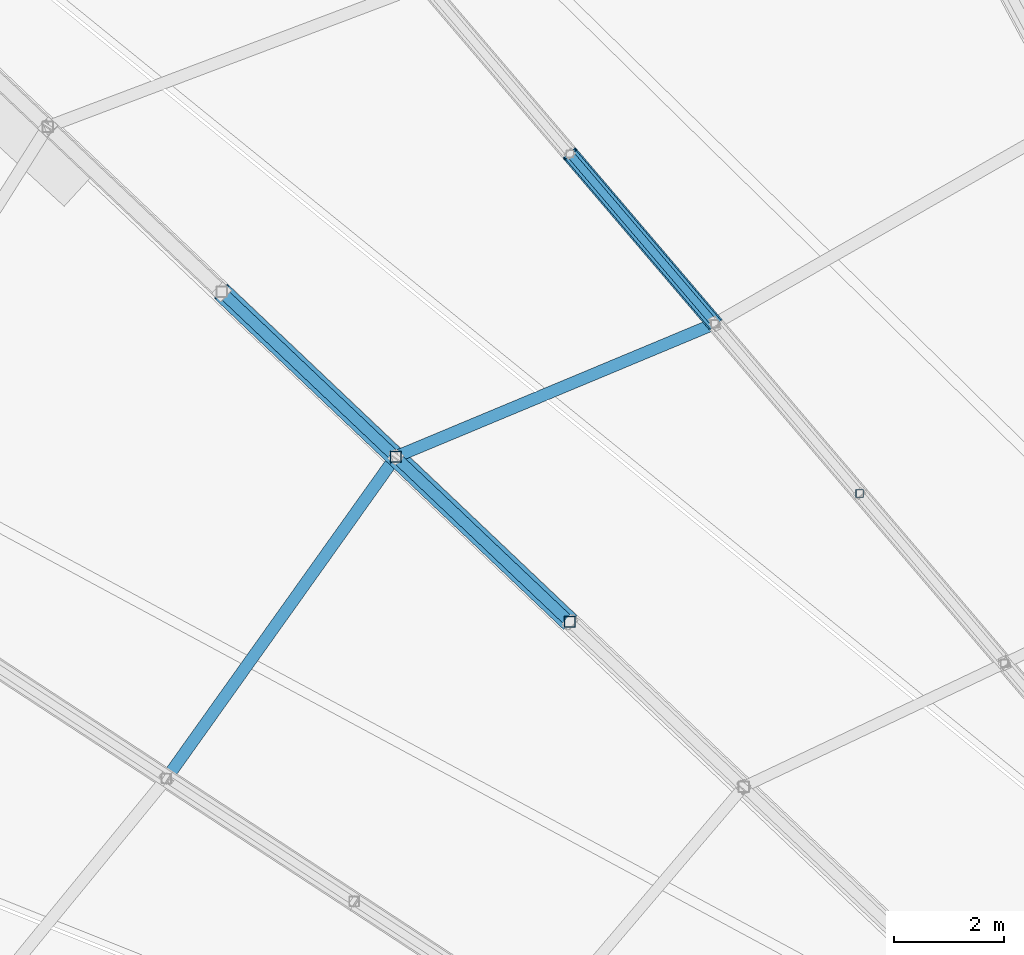
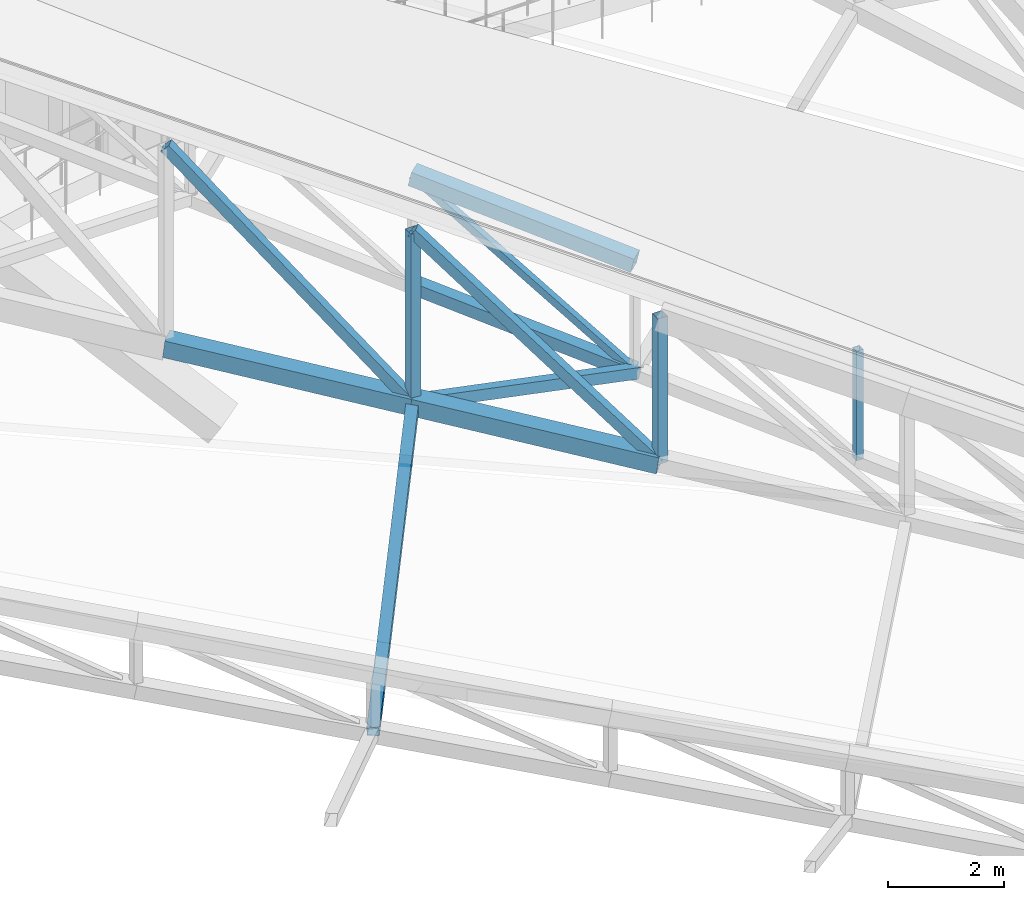
# One storey, part 138 of 344: 12 members.
"""IFC4 building model written with IfcOpenShell, lengths in metres."""

from ifc_helpers import new_model, si_unit, direction, frame, origin, origin_2d, place, context, subcontext, project, spatial, hollow_rectangle, extrude, material, material_profile, profile_set, type_object, element, save


model = new_model("IFC4")

# Units and contexts
model_context = context("Model", 3, precision=1e-05, world=origin(), true_north=direction((0.0, 1.0)))
body_context = subcontext(model_context, "Body", "Model", "MODEL_VIEW")
ifc_project = project(units=[si_unit("LENGTHUNIT", "METRE"), si_unit("AREAUNIT", "SQUARE_METRE"), si_unit("VOLUMEUNIT", "CUBIC_METRE"), si_unit("PLANEANGLEUNIT", "RADIAN"), si_unit("MASSUNIT", "GRAM", prefix="KILO")], contexts=[model_context])

# Site, building, storey
site_placement = place(None, origin())
site = spatial("IfcSite", under=ifc_project, at=site_placement, CompositionType="ELEMENT")
building_placement = place(site_placement, origin())
building = spatial("IfcBuilding", under=site, at=building_placement, Name="Meseta Stadium", CompositionType="ELEMENT")
storey_placement = place(building_placement, frame((0.0, 0.0, 24.0)))
storey = spatial("IfcBuildingStorey", under=building, at=storey_placement, Name="L04", CompositionType="ELEMENT", Elevation=24.0)

# Members
ifc_material_1 = material(Name="Steel S355", Category="steel")
ifc_material_profile_1 = material_profile(ifc_material_1, hollow_rectangle(XDim=0.139892578125, YDim=0.139892578125, WallThickness=0.0048828125, at=origin_2d()), Name="SHS 140x140x5")
ifc_profile_set_1 = profile_set([ifc_material_profile_1], Name="Steel S355")
member_type_1 = type_object("IfcMemberType", Name="SHS 140x140x5 diagonal", PredefinedType="BRACE", material=ifc_profile_set_1)
member_1_placement = place(storey_placement, frame((-45.260986328125, 76.1845703125, 1.756103515625), z_axis=(-0.511304997159, 0.599578670563, 0.615688734416), x_axis=(-0.760896819388, -0.64887289221, 0.0)))
element("IfcMember", 1, at=member_1_placement, inside=storey, type_object=member_type_1, Name="ROOF TRUSS RT-23 diagonal", PredefinedType="BRACE", context=body_context, shape_type="SweptSolid", body=[
    extrude(hollow_rectangle(XDim=0.139892578125, YDim=0.139892578125, WallThickness=0.0048828125, at=origin_2d()), origin(), (0.0, 0.0, 1.0), 5.152587890625),
])
ifc_material_2 = material(Name="Steel S355", Category="steel")
ifc_material_profile_2 = material_profile(ifc_material_2, hollow_rectangle(XDim=0.139892578125, YDim=0.139892578125, WallThickness=0.0048828125, at=origin_2d()), Name="SHS 140x140x5")
ifc_profile_set_2 = profile_set([ifc_material_profile_2], Name="Steel S355")
member_type_2 = type_object("IfcMemberType", Name="SHS 140x140x5 post", PredefinedType="POST", material=ifc_profile_set_2)
member_2_placement = place(storey_placement, frame((-42.626220703125, 73.09521484375, 0.8837890625), z_axis=(0.0, 0.0, 1.0), x_axis=(1.0, 0.0, 0.0)))
element("IfcMember", 2, at=member_2_placement, inside=storey, type_object=member_type_2, Name="ROOF TRUSS RT-23 post", PredefinedType="POST", context=body_context, shape_type="SweptSolid", body=[
    extrude(hollow_rectangle(XDim=0.139892578125, YDim=0.139892578125, WallThickness=0.0048828125, at=origin_2d()), origin(), (0.0, 0.0, 1.0), 2.300048828125),
])
ifc_material_3 = material(Name="Steel S355", Category="steel")
ifc_material_profile_3 = material_profile(ifc_material_3, hollow_rectangle(XDim=0.199951171875, YDim=0.199951171875, WallThickness=0.008056640625, at=origin_2d()), Name="SHS 200x200x8")
ifc_profile_set_3 = profile_set([ifc_material_profile_3], Name="Steel S355")
member_type_3 = type_object("IfcMemberType", Name="SHS 200x200x8 diagonal", PredefinedType="BRACE", material=ifc_profile_set_3)
member_3_placement = place(storey_placement, frame((-47.903076171875, 70.75927734375, 4.095703125), z_axis=(-0.527476888282, 0.500260935925, 0.686663766567), x_axis=(-0.688140350493, -0.725577603033, 0.0)))
element("IfcMember", 3, at=member_3_placement, inside=storey, type_object=member_type_3, Name="ROOF TRUSS RT-24 diagonal", PredefinedType="BRACE", context=body_context, shape_type="SweptSolid", body=[
    extrude(hollow_rectangle(XDim=0.199951171875, YDim=0.199951171875, WallThickness=0.008056640625, at=origin_2d()), origin(), (0.0, 0.0, 1.0), 6.001220703125),
])
member_4_placement = place(storey_placement, frame((-51.068603515625, 73.761474609375, 4.60791015625), z_axis=(-0.495168346135, 0.469621371232, 0.730933701965), x_axis=(-0.688141870449, -0.725576161499, 0.0)))
element("IfcMember", 4, at=member_4_placement, inside=storey, type_object=member_type_3, Name="ROOF TRUSS RT-24 diagonal", PredefinedType="BRACE", context=body_context, shape_type="SweptSolid", body=[
    extrude(hollow_rectangle(XDim=0.199951171875, YDim=0.199951171875, WallThickness=0.008056640625, at=origin_2d()), origin(), (0.0, 0.0, 1.0), 6.393310546875),
])
ifc_material_4 = material(Name="Steel S355", Category="steel")
ifc_material_profile_4 = material_profile(ifc_material_4, hollow_rectangle(XDim=0.199951171875, YDim=0.199951171875, WallThickness=0.008056640625, at=origin_2d()), Name="SHS 200x200x8")
ifc_profile_set_4 = profile_set([ifc_material_profile_4], Name="Steel S355")
member_type_4 = type_object("IfcMemberType", Name="SHS 200x200x8 post", PredefinedType="POST", material=ifc_profile_set_4)
member_5_placement = place(storey_placement, frame((-47.903076171875, 70.75927734375, 4.095703125), z_axis=(0.0, 0.0, 1.0), x_axis=(1.0, 0.0, 0.0)))
element("IfcMember", 5, at=member_5_placement, inside=storey, type_object=member_type_4, Name="ROOF TRUSS RT-24 post", PredefinedType="POST", context=body_context, shape_type="SweptSolid", body=[
    extrude(hollow_rectangle(XDim=0.199951171875, YDim=0.199951171875, WallThickness=0.008056640625, at=origin_2d()), origin(), (0.0, 0.0, 1.0), 3.056396484375),
])
member_6_placement = place(storey_placement, frame((-51.068603515625, 73.761474609375, 4.60791015625), z_axis=(0.0, 0.0, 1.0), x_axis=(1.0, 0.0, 0.0)))
element("IfcMember", 6, at=member_6_placement, inside=storey, type_object=member_type_4, Name="ROOF TRUSS RT-24 post", PredefinedType="POST", context=body_context, shape_type="SweptSolid", body=[
    extrude(hollow_rectangle(XDim=0.199951171875, YDim=0.199951171875, WallThickness=0.008056640625, at=origin_2d()), origin(), (0.0, 0.0, 1.0), 3.608642578125),
])
ifc_material_5 = material(Name="Steel S355", Category="steel")
ifc_material_profile_5 = material_profile(ifc_material_5, hollow_rectangle(XDim=0.219970703125, YDim=0.219970703125, WallThickness=0.008056640625, at=origin_2d()), Name="SHS 220x220x8")
ifc_profile_set_5 = profile_set([ifc_material_profile_5], Name="Steel S355")
member_type_5 = type_object("IfcMemberType", Name="SHS 220x220x8 strut", PredefinedType="STRUT", material=ifc_profile_set_5)
member_7_placement = place(storey_placement, frame((-45.260986328125, 76.1845703125, 1.756103515625), z_axis=(-0.840601934105, -0.350721968891, 0.412774137896), x_axis=(0.385056106705, -0.922893165371, 0.0)))
element("IfcMember", 7, at=member_7_placement, inside=storey, type_object=member_type_5, Name="ROOF TRUSS STRUT RT-23/24", PredefinedType="STRUT", context=body_context, shape_type="SweptSolid", body=[
    extrude(hollow_rectangle(XDim=0.219970703125, YDim=0.219970703125, WallThickness=0.008056640625, at=origin_2d()), origin(), (0.0, 0.0, 1.0), 6.908935546875),
])
member_8_placement = place(storey_placement, frame((-51.068603515625, 73.761474609375, 4.60791015625), z_axis=(-0.560938297236, -0.787297378244, -0.255951294008), x_axis=(0.814426175753, -0.580267183501, 0.0)))
element("IfcMember", 8, at=member_8_placement, inside=storey, type_object=member_type_5, Name="ROOF TRUSS STRUT RT-24/25", PredefinedType="STRUT", context=body_context, shape_type="SweptSolid", body=[
    extrude(hollow_rectangle(XDim=0.219970703125, YDim=0.219970703125, WallThickness=0.008056640625, at=origin_2d()), origin(), (0.0, 0.0, 1.0), 7.433349609375),
])
ifc_material_6 = material(Name="Steel S355", Category="steel")
ifc_material_profile_6 = material_profile(ifc_material_6, hollow_rectangle(XDim=0.25, YDim=0.25, WallThickness=0.010009765625, at=origin_2d()), Name="SHS 250x250x10")
ifc_profile_set_6 = profile_set([ifc_material_profile_6], Name="Steel S355")
member_type_6 = type_object("IfcMemberType", Name="SHS 250x250x10 bottom chord", PredefinedType="CHORD", material=ifc_profile_set_6)
member_9_placement = place(storey_placement, frame((-45.260986328125, 76.1845703125, 1.756103515625), z_axis=(-0.634396329544, 0.743920966922, 0.210054497772), x_axis=(-0.760896819388, -0.64887289221, 0.0)))
element("IfcMember", 9, at=member_9_placement, inside=storey, type_object=member_type_6, Name="ROOF TRUSS RT-23 bottom chord", PredefinedType="CHORD", context=body_context, shape_type="SweptSolid", body=[
    extrude(hollow_rectangle(XDim=0.25, YDim=0.25, WallThickness=0.010009765625, at=origin_2d()), origin(), (0.0, 0.0, 1.0), 4.15283203125),
])
ifc_material_7 = material(Name="Steel S355", Category="steel")
ifc_material_profile_7 = material_profile(ifc_material_7, hollow_rectangle(XDim=0.300048828125, YDim=0.300048828125, WallThickness=0.010009765625, at=origin_2d()), Name="SHS 300x300x10")
ifc_profile_set_7 = profile_set([ifc_material_profile_7], Name="Steel S355")
member_type_7 = type_object("IfcMemberType", Name="SHS 300x300x10 top chord", PredefinedType="CHORD", material=ifc_profile_set_7)
member_10_placement = place(storey_placement, frame((-45.260986328125, 76.1845703125, 4.05615234375), z_axis=(-0.634396329544, 0.743920966922, 0.210054497772), x_axis=(-0.760896819388, -0.64887289221, 0.0)))
element("IfcMember", 10, at=member_10_placement, inside=storey, type_object=member_type_7, Name="ROOF TRUSS RT-23 top chord", PredefinedType="CHORD", context=body_context, shape_type="SweptSolid", body=[
    extrude(hollow_rectangle(XDim=0.300048828125, YDim=0.300048828125, WallThickness=0.010009765625, at=origin_2d()), origin(), (0.0, 0.0, 1.0), 4.15283203125),
])
ifc_material_8 = material(Name="Steel S355", Category="steel")
ifc_material_profile_8 = material_profile(ifc_material_8, hollow_rectangle(XDim=0.35009765625, YDim=0.35009765625, WallThickness=0.01416015625, at=origin_2d()), Name="SHS 350x350x14.2")
ifc_profile_set_8 = profile_set([ifc_material_profile_8], Name="Steel S355")
member_type_8 = type_object("IfcMemberType", Name="SHS 350x350x14.2 bottom chord", PredefinedType="CHORD", material=ifc_profile_set_8)
member_11_placement = place(storey_placement, frame((-47.903076171875, 70.75927734375, 4.095703125), z_axis=(-0.720628129424, 0.683446252316, 0.116603255864), x_axis=(-0.688140350493, -0.725577603033, 0.0)))
element("IfcMember", 11, at=member_11_placement, inside=storey, type_object=member_type_8, Name="ROOF TRUSS RT-24 bottom chord", PredefinedType="CHORD", context=body_context, shape_type="SweptSolid", body=[
    extrude(hollow_rectangle(XDim=0.35009765625, YDim=0.35009765625, WallThickness=0.01416015625, at=origin_2d()), origin(), (0.0, 0.0, 1.0), 4.392822265625),
])
member_12_placement = place(storey_placement, frame((-51.068603515625, 73.761474609375, 4.60791015625), z_axis=(-0.720622802314, 0.683444067468, 0.116648975249), x_axis=(-0.688141870449, -0.725576161499, 0.0)))
element("IfcMember", 12, at=member_12_placement, inside=storey, type_object=member_type_8, Name="ROOF TRUSS RT-24 bottom chord", PredefinedType="CHORD", context=body_context, shape_type="SweptSolid", body=[
    extrude(hollow_rectangle(XDim=0.35009765625, YDim=0.35009765625, WallThickness=0.01416015625, at=origin_2d()), origin(), (0.0, 0.0, 1.0), 4.39306640625),
])

save(model, "model.ifc")
